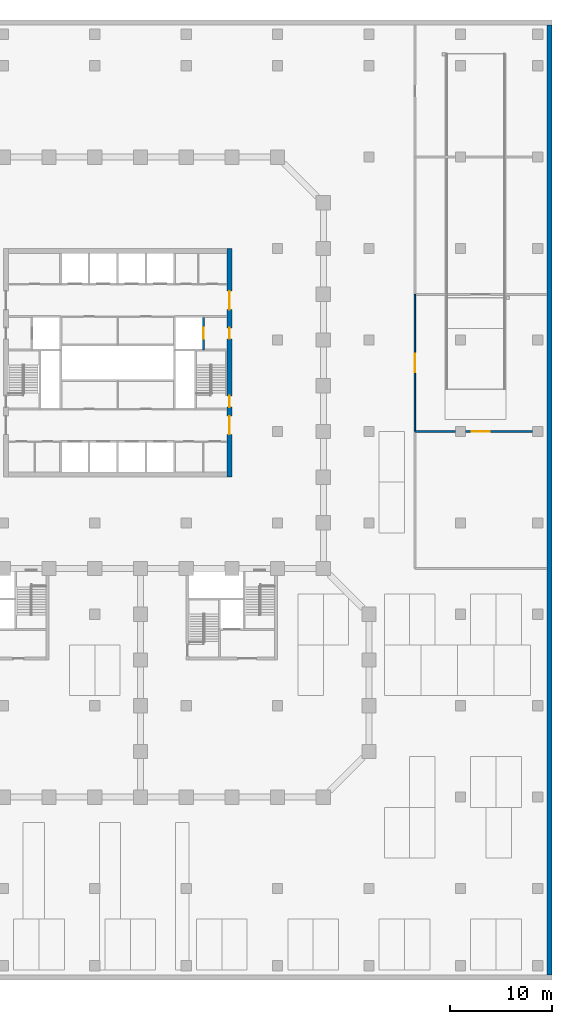
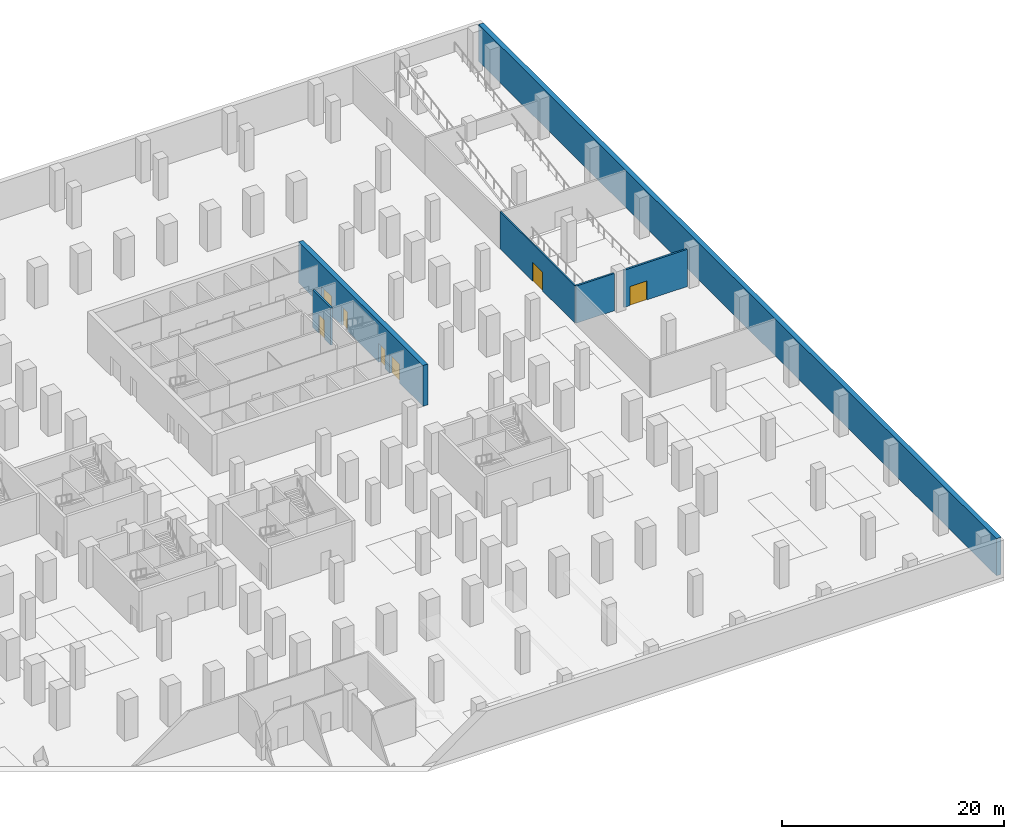
# One storey, part 10 of 16: 7 doors, 6 walls, 7 openings.
"""IFC4 building model written with IfcOpenShell, lengths in metres."""

from ifc_helpers import new_model, si_unit, direction, frame, frame_2d, origin, place, context, subcontext, project, spatial, rectangle, extrude, material, layer, layer_set, type_object, element, fill, save


model = new_model("IFC4")

# Units and contexts
model_context = context("Model", 3, precision=1e-05, world=origin(), true_north=direction((0.0, 1.0)))
body_context = subcontext(model_context, "Body", "Model", "MODEL_VIEW")
ifc_project = project(units=[si_unit("LENGTHUNIT", "METRE"), si_unit("AREAUNIT", "SQUARE_METRE"), si_unit("VOLUMEUNIT", "CUBIC_METRE"), si_unit("PLANEANGLEUNIT", "RADIAN"), si_unit("MASSUNIT", "GRAM", prefix="KILO")], contexts=[model_context])

# Site, building, storey
site_placement = place(None, origin())
site = spatial("IfcSite", under=ifc_project, at=site_placement, CompositionType="ELEMENT")
building_placement = place(site_placement, origin())
building = spatial("IfcBuilding", under=site, at=building_placement, Name="Quoin Convention Tower", CompositionType="ELEMENT")
storey_placement = place(building_placement, frame((0.0, 0.0, -4.5)))
storey = spatial("IfcBuildingStorey", under=building, at=storey_placement, Name="B1", CompositionType="ELEMENT", Elevation=-4.5)

# Wall
ifc_material_1 = material(Name="Plasterboard")
ifc_layer_1 = layer(ifc_material_1, 0.012451171875, Name="Finish")
ifc_material_2 = material(Name="Steel stud framing", Category="steel")
ifc_layer_2 = layer(ifc_material_2, 0.175048828125, Name="Structure")
ifc_layer_3 = layer(ifc_material_1, 0.012451171875, Name="Finish")
ifc_layer_set_1 = layer_set([ifc_layer_1, ifc_layer_2, ifc_layer_3], Name="Steel stud framing")
wall_type_1 = type_object("IfcWallType", Name="Block wall 200", PredefinedType="PARTITIONING", material=ifc_layer_set_1)
wall_1_placement = place(storey_placement, frame((85.5, 54.0, 0.0), z_axis=(0.0, 0.0, 1.0), x_axis=(1.0, 0.0, 0.0)))
element("IfcWall", 1, at=wall_1_placement, inside=storey, type_object=wall_type_1, Name="pw-B1-016", PredefinedType="PARTITIONING", context=body_context, shape_type="SweptSolid", body=[
    extrude(rectangle(XDim=4.0, YDim=0.199951171875, at=frame_2d((2.0, 0.0))), origin(), (0.0, 0.0, 1.0), 4.10009765625),
])

# Wall, opening, door
wall_2_placement = place(storey_placement, frame((90.5, 54.0, 0.0), z_axis=(0.0, 0.0, 1.0), x_axis=(1.0, 0.0, 0.0)))
wall_2 = element("IfcWall", 2, at=wall_2_placement, inside=storey, type_object=wall_type_1, Name="pw-B1-017", PredefinedType="PARTITIONING", context=body_context, shape_type="SweptSolid", body=[
    extrude(rectangle(XDim=6.60009765625, YDim=0.199951171875, at=frame_2d((3.300048828125, 0.0))), origin(), (0.0, 0.0, 1.0), 4.10009765625),
])
opening_1_placement = place(wall_2_placement, frame((0.60009765625, 0.0, 0.0)))
opening_1 = element("IfcOpeningElement", 3, at=opening_1_placement, cuts=wall_2, Name="Opening DPDB1-06", PredefinedType="OPENING", context=body_context, shape_type="SweptSolid", body=[
    extrude(rectangle(XDim=1.800048828125, YDim=2.10009765625, at=frame_2d((0.89990234375, 1.050048828125))), frame((0.0, 0.10986328125, 0.0), z_axis=(0.0, -1.0, 0.0), x_axis=(1.0, 0.0, 0.0)), (0.0, 0.0, 1.0), 0.219970703125),
])
ifc_material_3 = material(Name="Steel door leaf", Category="steel")
door_type_1 = type_object("IfcDoorType", Name="Double leaf door 1800", OperationType="DOUBLE_DOOR_SINGLE_SWING", PredefinedType="DOOR", material=ifc_material_3)
door_1_placement = place(opening_1_placement, frame((1.800048828125, 0.0, 0.0), z_axis=(0.0, 0.0, 1.0), x_axis=(-1.0, 0.0, 0.0)))
door_1 = element("IfcDoor", 4, at=door_1_placement, inside=storey, type_object=door_type_1, Name="dr-B1-008", OperationType="DOUBLE_DOOR_SINGLE_SWING", OverallHeight=2.10009765625, OverallWidth=1.800048828125, PredefinedType="DOOR", context=body_context, shape_type="SweptSolid", body=[
    extrude(rectangle(XDim=1.800048828125, YDim=2.10009765625, at=frame_2d((0.89990234375, 1.050048828125))), frame((0.0, 0.02490234375, 0.0), z_axis=(0.0, -1.0, 0.0), x_axis=(1.0, 0.0, 0.0)), (0.0, 0.0, 1.0), 0.050048828125),
])
fill(opening_1, door_1)

ifc_material_4 = material(Name="Concrete C50", Category="concrete")
ifc_layer_4 = layer(ifc_material_4, 0.199951171875)
ifc_layer_set_2 = layer_set([ifc_layer_4], Name="Concrete C50")
wall_type_2 = type_object("IfcWallType", Name="Core shaft wall", PredefinedType="SOLIDWALL", material=ifc_layer_set_2)
wall_3_placement = place(storey_placement, frame((64.699951171875, 62.0, 0.0), z_axis=(0.0, 0.0, 1.0), x_axis=(0.0, 1.0, 0.0)))
wall_3 = element("IfcWall", 5, at=wall_3_placement, inside=storey, type_object=wall_type_2, Name="cr-C1-B1-v19700_12500", PredefinedType="SOLIDWALL", context=body_context, shape_type="SweptSolid", body=[
    extrude(rectangle(XDim=3.300048828125, YDim=0.199951171875, at=frame_2d((1.64990234375, 0.0))), origin(), (0.0, 0.0, 1.0), 4.10009765625),
])
opening_2_placement = place(wall_3_placement, frame((1.10009765625, 0.0, 0.0)))
opening_2 = element("IfcOpeningElement", 6, at=opening_2_placement, cuts=wall_3, Name="Opening LDFL2", PredefinedType="OPENING", context=body_context, shape_type="SweptSolid", body=[
    extrude(rectangle(XDim=1.10009765625, YDim=2.10009765625, at=frame_2d((0.550048828125, 1.050048828125))), frame((0.0, 0.10986328125, 0.0), z_axis=(0.0, -1.0, 0.0), x_axis=(1.0, 0.0, 0.0)), (0.0, 0.0, 1.0), 0.219970703125),
])
door_type_2 = type_object("IfcDoorType", Name="Lift landing door 1100 x 2100", OperationType="DOUBLE_DOOR_SLIDING", PredefinedType="DOOR", material=ifc_material_3)
door_2_placement = place(opening_2_placement, origin())
door_2 = element("IfcDoor", 7, at=door_2_placement, inside=storey, type_object=door_type_2, Name="cd-C1-B1-FLE-FFE-LDFL2", OperationType="DOUBLE_DOOR_SLIDING", OverallHeight=2.10009765625, OverallWidth=1.10009765625, PredefinedType="DOOR", context=body_context, shape_type="SweptSolid", body=[
    extrude(rectangle(XDim=1.10009765625, YDim=2.10009765625, at=frame_2d((0.550048828125, 1.050048828125))), frame((0.0, 0.02490234375, 0.0), z_axis=(0.0, -1.0, 0.0), x_axis=(1.0, 0.0, 0.0)), (0.0, 0.0, 1.0), 0.050048828125),
])
fill(opening_2, door_2)

ifc_layer_5 = layer(ifc_material_1, 0.012451171875, Name="Finish")
ifc_layer_6 = layer(ifc_material_2, 0.125, Name="Structure")
ifc_layer_7 = layer(ifc_material_1, 0.012451171875, Name="Finish")
ifc_layer_set_3 = layer_set([ifc_layer_5, ifc_layer_6, ifc_layer_7], Name="Steel stud framing")
wall_type_3 = type_object("IfcWallType", Name="Partition wall 150", PredefinedType="PARTITIONING", material=ifc_layer_set_3)
wall_4_placement = place(storey_placement, frame((85.5, 54.0, 0.0), z_axis=(0.0, 0.0, 1.0), x_axis=(0.0, 1.0, 0.0)))
wall_4 = element("IfcWall", 8, at=wall_4_placement, inside=storey, type_object=wall_type_3, Name="pw-B1-018", PredefinedType="PARTITIONING", context=body_context, shape_type="SweptSolid", body=[
    extrude(rectangle(XDim=13.5, YDim=0.14990234375, at=frame_2d((6.75, 0.0))), origin(), (0.0, 0.0, 1.0), 4.10009765625),
])
opening_3_placement = place(wall_4_placement, frame((5.85009765625, 0.0, 0.0)))
opening_3 = element("IfcOpeningElement", 9, at=opening_3_placement, cuts=wall_4, Name="Opening DPDB1-07", PredefinedType="OPENING", context=body_context, shape_type="SweptSolid", body=[
    extrude(rectangle(XDim=1.800048828125, YDim=2.10009765625, at=frame_2d((0.89990234375, 1.050048828125))), frame((0.0, 0.0849609375, 0.0), z_axis=(0.0, -1.0, 0.0), x_axis=(1.0, 0.0, 0.0)), (0.0, 0.0, 1.0), 0.169921875),
])
door_3_placement = place(opening_3_placement, origin())
door_3 = element("IfcDoor", 10, at=door_3_placement, inside=storey, type_object=door_type_1, Name="dr-B1-011", OperationType="DOUBLE_DOOR_SINGLE_SWING", OverallHeight=2.10009765625, OverallWidth=1.800048828125, PredefinedType="DOOR", context=body_context, shape_type="SweptSolid", body=[
    extrude(rectangle(XDim=1.800048828125, YDim=2.10009765625, at=frame_2d((0.89990234375, 1.050048828125))), frame((0.0, 0.02490234375, 0.0), z_axis=(0.0, -1.0, 0.0), x_axis=(1.0, 0.0, 0.0)), (0.0, 0.0, 1.0), 0.050048828125),
])
fill(opening_3, door_3)

# Wall, openings, doors
ifc_material_5 = material(Name="Concrete C100 (100 MPa)", Category="concrete")
ifc_layer_8 = layer(ifc_material_5, 0.5)
ifc_layer_set_4 = layer_set([ifc_layer_8], Name="Concrete C100 (100 MPa)")
wall_type_4 = type_object("IfcWallType", Name="RC CORE WALL 500 C100", PredefinedType="SHEAR", material=ifc_layer_set_4)
wall_5_placement = place(storey_placement, frame((67.25, 49.5, 0.0), z_axis=(0.0, 0.0, 1.0), x_axis=(0.0, 1.0, 0.0)))
wall_5 = element("IfcWall", 11, at=wall_5_placement, inside=storey, type_object=wall_type_4, Name="cwl-C1-B1-E", PredefinedType="SHEAR", context=body_context, shape_type="SweptSolid", body=[
    extrude(rectangle(XDim=22.5, YDim=0.5, at=frame_2d((11.25, 0.0))), origin(), (0.0, 0.0, 1.0), 4.5),
])
opening_4_placement = place(wall_5_placement, frame((4.199951171875, 0.0, 0.0)))
opening_4 = element("IfcOpeningElement", 12, at=opening_4_placement, cuts=wall_5, Name="Opening DCV0-57", PredefinedType="OPENING", context=body_context, shape_type="SweptSolid", body=[
    extrude(rectangle(XDim=1.800048828125, YDim=2.10009765625, at=frame_2d((0.89990234375, 1.050048828125))), frame((0.0, 0.260009765625, 0.0), z_axis=(0.0, -1.0, 0.0), x_axis=(1.0, 0.0, 0.0)), (0.0, 0.0, 1.0), 0.52001953125),
])
opening_5_placement = place(wall_5_placement, frame((6.89990234375, 0.0, 0.0)))
opening_5 = element("IfcOpeningElement", 13, at=opening_5_placement, cuts=wall_5, Name="Opening SD2", PredefinedType="OPENING", context=body_context, shape_type="SweptSolid", body=[
    extrude(rectangle(XDim=1.10009765625, YDim=2.10009765625, at=frame_2d((0.550048828125, 1.050048828125))), frame((0.0, 0.260009765625, 0.0), z_axis=(0.0, -1.0, 0.0), x_axis=(1.0, 0.0, 0.0)), (0.0, 0.0, 1.0), 0.52001953125),
])
opening_6_placement = place(wall_5_placement, frame((13.60009765625, 0.0, 0.0)))
opening_6 = element("IfcOpeningElement", 14, at=opening_6_placement, cuts=wall_5, Name="Opening DCV0-56", PredefinedType="OPENING", context=body_context, shape_type="SweptSolid", body=[
    extrude(rectangle(XDim=1.10009765625, YDim=2.10009765625, at=frame_2d((0.550048828125, 1.050048828125))), frame((0.0, 0.260009765625, 0.0), z_axis=(0.0, -1.0, 0.0), x_axis=(1.0, 0.0, 0.0)), (0.0, 0.0, 1.0), 0.52001953125),
])
opening_7_placement = place(wall_5_placement, frame((16.5, 0.0, 0.0)))
opening_7 = element("IfcOpeningElement", 15, at=opening_7_placement, cuts=wall_5, Name="Opening DCV0-57", PredefinedType="OPENING", context=body_context, shape_type="SweptSolid", body=[
    extrude(rectangle(XDim=1.800048828125, YDim=2.10009765625, at=frame_2d((0.89990234375, 1.050048828125))), frame((0.0, 0.260009765625, 0.0), z_axis=(0.0, -1.0, 0.0), x_axis=(1.0, 0.0, 0.0)), (0.0, 0.0, 1.0), 0.52001953125),
])
door_type_3 = type_object("IfcDoorType", Name="Fire-fighting lobby door 1100 x 2100", OperationType="SINGLE_SWING_LEFT", PredefinedType="DOOR", material=ifc_material_3)
door_4_placement = place(opening_6_placement, frame((1.10009765625, 0.0, 0.0), z_axis=(0.0, 0.0, 1.0), x_axis=(-1.0, 0.0, 0.0)))
door_4 = element("IfcDoor", 16, at=door_4_placement, inside=storey, type_object=door_type_3, Name="cd-C1-B1-FFE-E", OperationType="SINGLE_SWING_LEFT", OverallHeight=2.10009765625, OverallWidth=1.10009765625, PredefinedType="DOOR", context=body_context, shape_type="SweptSolid", body=[
    extrude(rectangle(XDim=1.10009765625, YDim=2.10009765625, at=frame_2d((0.550048828125, 1.050048828125))), frame((0.0, 0.02490234375, 0.0), z_axis=(0.0, -1.0, 0.0), x_axis=(1.0, 0.0, 0.0)), (0.0, 0.0, 1.0), 0.050048828125),
])
fill(opening_6, door_4)
door_type_4 = type_object("IfcDoorType", Name="Lift lobby door 1800 x 2100", OperationType="SINGLE_SWING_LEFT", PredefinedType="DOOR", material=ifc_material_3)
door_5_placement = place(opening_4_placement, frame((1.800048828125, 0.0, 0.0), z_axis=(0.0, 0.0, 1.0), x_axis=(-1.0, 0.0, 0.0)))
door_5 = element("IfcDoor", 17, at=door_5_placement, inside=storey, type_object=door_type_4, Name="cd-C1-B1-lobA-E", OperationType="SINGLE_SWING_RIGHT", OverallHeight=2.10009765625, OverallWidth=1.800048828125, PredefinedType="DOOR", context=body_context, shape_type="SweptSolid", body=[
    extrude(rectangle(XDim=1.800048828125, YDim=2.10009765625, at=frame_2d((0.89990234375, 1.050048828125))), frame((0.0, 0.02490234375, 0.0), z_axis=(0.0, -1.0, 0.0), x_axis=(1.0, 0.0, 0.0)), (0.0, 0.0, 1.0), 0.050048828125),
])
fill(opening_4, door_5)
door_6_placement = place(opening_7_placement, frame((1.800048828125, 0.0, 0.0), z_axis=(0.0, 0.0, 1.0), x_axis=(-1.0, 0.0, 0.0)))
door_6 = element("IfcDoor", 18, at=door_6_placement, inside=storey, type_object=door_type_4, Name="cd-C1-B1-lobB-E", OperationType="SINGLE_SWING_LEFT", OverallHeight=2.10009765625, OverallWidth=1.800048828125, PredefinedType="DOOR", context=body_context, shape_type="SweptSolid", body=[
    extrude(rectangle(XDim=1.800048828125, YDim=2.10009765625, at=frame_2d((0.89990234375, 1.050048828125))), frame((0.0, 0.02490234375, 0.0), z_axis=(0.0, -1.0, 0.0), x_axis=(1.0, 0.0, 0.0)), (0.0, 0.0, 1.0), 0.050048828125),
])
fill(opening_7, door_6)
door_type_5 = type_object("IfcDoorType", Name="Stair door 1100 x 2100", OperationType="SINGLE_SWING_RIGHT", PredefinedType="DOOR", material=ifc_material_3)
door_7_placement = place(opening_5_placement, origin())
door_7 = element("IfcDoor", 19, at=door_7_placement, inside=storey, type_object=door_type_5, Name="cd-C1-B1-STE-E", OperationType="SINGLE_SWING_LEFT", OverallHeight=2.10009765625, OverallWidth=1.10009765625, PredefinedType="DOOR", context=body_context, shape_type="SweptSolid", body=[
    extrude(rectangle(XDim=1.10009765625, YDim=2.10009765625, at=frame_2d((0.550048828125, 1.050048828125))), frame((0.0, 0.02490234375, 0.0), z_axis=(0.0, -1.0, 0.0), x_axis=(1.0, 0.0, 0.0)), (0.0, 0.0, 1.0), 0.050048828125),
])
fill(opening_5, door_7)

# Wall
ifc_layer_9 = layer(ifc_material_4, 0.5)
ifc_layer_set_5 = layer_set([ifc_layer_9], Name="Concrete C50")
wall_type_5 = type_object("IfcWallType", Name="RC RETAINING WALL 500 C50", PredefinedType="SOLIDWALL", material=ifc_layer_set_5)
wall_6_placement = place(storey_placement, frame((98.75, 0.5, 0.0), z_axis=(0.0, 0.0, 1.0), x_axis=(0.0, 1.0, 0.0)))
element("IfcWall", 20, at=wall_6_placement, inside=storey, type_object=wall_type_5, Name="bsm-B1-E", PredefinedType="SOLIDWALL", context=body_context, shape_type="SweptSolid", body=[
    extrude(rectangle(XDim=93.5, YDim=0.5, at=frame_2d((46.75, 0.0))), origin(), (0.0, 0.0, 1.0), 4.10009765625),
])

save(model, "model.ifc")
